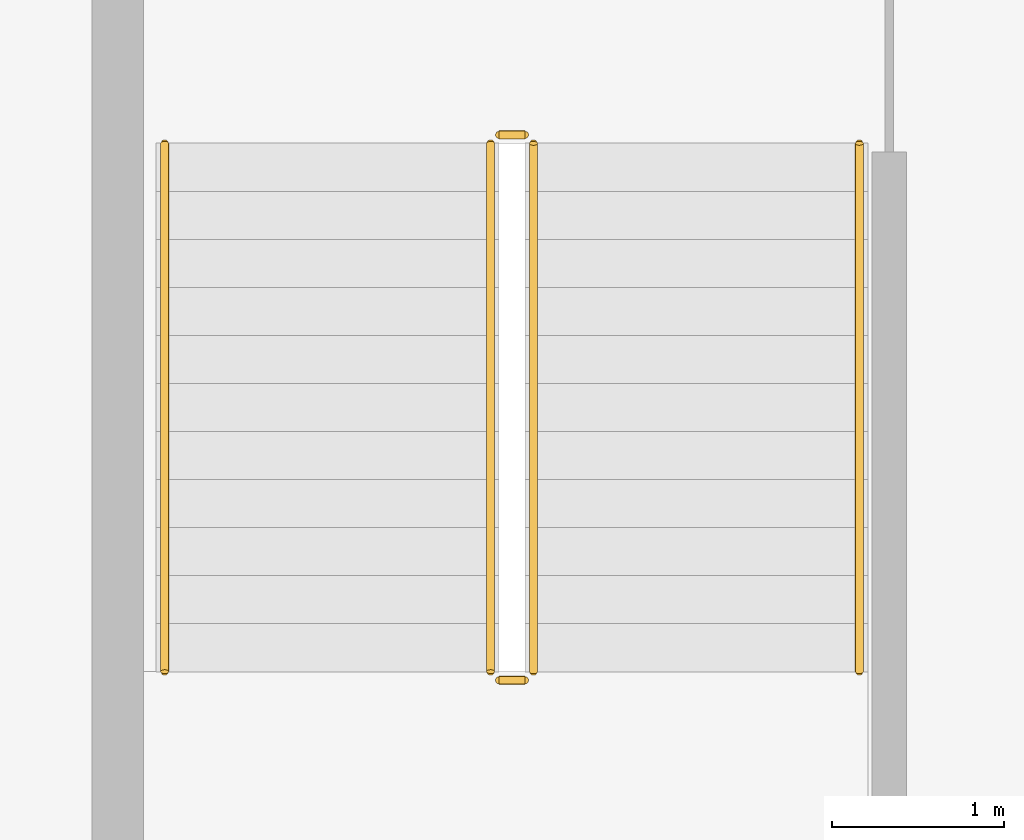
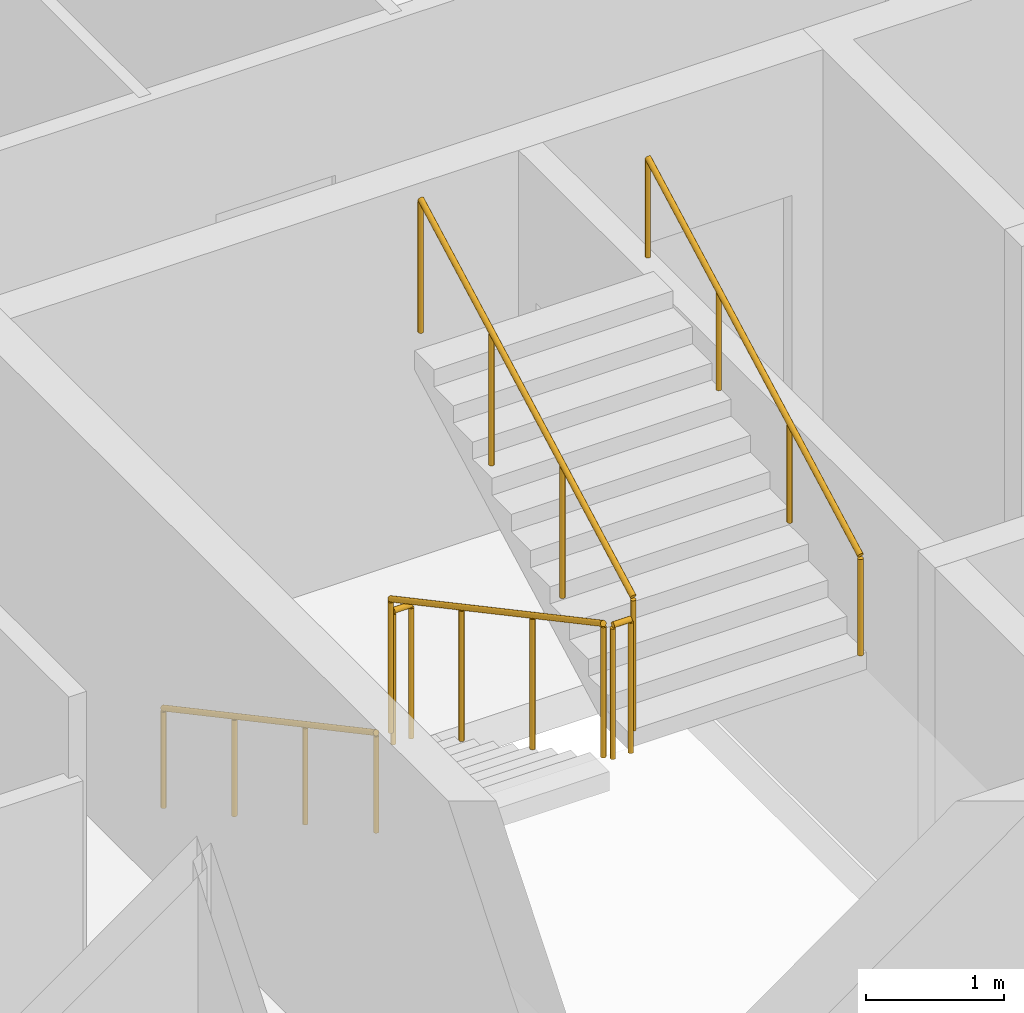
# One storey, part 12 of 14: 6 railings.
"""IFC4 building model written with IfcOpenShell, lengths in metres."""

from ifc_helpers import new_model, si_unit, direction, frame, origin, origin_2d, place, context, subcontext, project, spatial, circle, extrude, material, type_object, element, save


model = new_model("IFC4")

# Units and contexts
model_context = context("Model", 3, precision=1e-05, world=origin(), true_north=direction((0.0, 1.0)))
body_context = subcontext(model_context, "Body", "Model", "MODEL_VIEW")
ifc_project = project(units=[si_unit("LENGTHUNIT", "METRE"), si_unit("AREAUNIT", "SQUARE_METRE"), si_unit("VOLUMEUNIT", "CUBIC_METRE"), si_unit("PLANEANGLEUNIT", "RADIAN"), si_unit("MASSUNIT", "GRAM", prefix="KILO")], contexts=[model_context])

# Site, building, storey
site_placement = place(None, origin())
site = spatial("IfcSite", under=ifc_project, at=site_placement, CompositionType="ELEMENT")
building_placement = place(site_placement, origin())
building = spatial("IfcBuilding", under=site, at=building_placement, Name="Caravel Reach Hotel and Residences", CompositionType="ELEMENT")
storey_placement = place(building_placement, frame((0.0, 0.0, 88.800048828125)))
storey = spatial("IfcBuildingStorey", under=building, at=storey_placement, Name="L21", CompositionType="ELEMENT", Elevation=88.800048828125)

# Railings
ifc_material_1 = material(Name="Steel balustrade with glass infill", Category="steel")
railing_type_1 = type_object("IfcRailingType", Name="Guard 1200", PredefinedType="GUARDRAIL", material=ifc_material_1)
railing_1_placement = place(storey_placement, frame((20.175048828125, 29.35009765625, 0.14990234375)))
element("IfcRailing", 1, at=railing_1_placement, inside=storey, type_object=railing_type_1, Name="L21 ST-A stair guard 1", PredefinedType="GUARDRAIL", context=body_context, shape_type="SweptSolid", body=[
    extrude(circle(Radius=0.02392578125, at=origin_2d()), frame((0.0, 0.0, 1.17578125), z_axis=(0.0, -0.881467505477, 0.472244678941), x_axis=(1.0, 0.0, 0.0)), (0.0, 0.0, 1.0), 3.494140625),
    extrude(circle(Radius=0.02099609375, at=origin_2d()), origin(), (0.0, 0.0, 1.0), 1.15185546875),
    extrude(circle(Radius=0.02099609375, at=origin_2d()), frame((0.0, -1.026611328125, 0.550048828125)), (0.0, 0.0, 1.0), 1.15185546875),
    extrude(circle(Radius=0.02099609375, at=origin_2d()), frame((0.0, -2.053466796875, 1.10009765625)), (0.0, 0.0, 1.0), 1.15185546875),
    extrude(circle(Radius=0.02099609375, at=origin_2d()), frame((0.0, -3.080078125, 1.650146484375)), (0.0, 0.0, 1.0), 1.15185546875),
])
railing_2_placement = place(storey_placement, frame((20.22509765625, 26.219970703125, 1.800048828125)))
element("IfcRailing", 2, at=railing_2_placement, inside=storey, type_object=railing_type_1, Name="L21 ST-A stair guard 2", PredefinedType="GUARDRAIL", context=body_context, shape_type="SweptSolid", body=[
    extrude(circle(Radius=0.02392578125, at=origin_2d()), frame((0.0, 0.0, 1.17578125), z_axis=(1.0, 0.0, 0.0), x_axis=(0.0, 1.0, 0.0)), (0.0, 0.0, 1.0), 0.14990234375),
    extrude(circle(Radius=0.02099609375, at=origin_2d()), origin(), (0.0, 0.0, 1.0), 1.15185546875),
    extrude(circle(Radius=0.02099609375, at=origin_2d()), frame((0.14990234375, 0.0, 0.0)), (0.0, 0.0, 1.0), 1.15185546875),
])
railing_3_placement = place(storey_placement, frame((20.425048828125, 26.27001953125, 1.949951171875)))
element("IfcRailing", 3, at=railing_3_placement, inside=storey, type_object=railing_type_1, Name="L21 ST-A stair guard 3", PredefinedType="GUARDRAIL", context=body_context, shape_type="SweptSolid", body=[
    extrude(circle(Radius=0.02392578125, at=origin_2d()), frame((0.0, 0.0, 1.17578125), z_axis=(0.0, 0.881496589024, 0.472190389079), x_axis=(-1.0, 0.0, 0.0)), (0.0, 0.0, 1.0), 3.494140625),
    extrude(circle(Radius=0.02099609375, at=origin_2d()), origin(), (0.0, 0.0, 1.0), 1.15185546875),
    extrude(circle(Radius=0.02099609375, at=origin_2d()), frame((0.0, 1.026611328125, 0.550048828125)), (0.0, 0.0, 1.0), 1.15185546875),
    extrude(circle(Radius=0.02099609375, at=origin_2d()), frame((0.0, 2.053466796875, 1.099853515625)), (0.0, 0.0, 1.0), 1.15185546875),
    extrude(circle(Radius=0.02099609375, at=origin_2d()), frame((0.0, 3.080078125, 1.64990234375)), (0.0, 0.0, 1.0), 1.15185546875),
])
railing_4_placement = place(storey_placement, frame((20.22509765625, 29.39990234375, 0.0)))
element("IfcRailing", 4, at=railing_4_placement, inside=storey, type_object=railing_type_1, Name="L21 ST-A stair guard 4", PredefinedType="GUARDRAIL", context=body_context, shape_type="SweptSolid", body=[
    extrude(circle(Radius=0.02392578125, at=origin_2d()), frame((0.0, 0.0, 1.17578125), z_axis=(1.0, 0.0, 0.0), x_axis=(0.0, 1.0, 0.0)), (0.0, 0.0, 1.0), 0.14990234375),
    extrude(circle(Radius=0.02099609375, at=origin_2d()), origin(), (0.0, 0.0, 1.0), 1.15185546875),
    extrude(circle(Radius=0.02099609375, at=origin_2d()), frame((0.14990234375, 0.0, 0.0)), (0.0, 0.0, 1.0), 1.15185546875),
])
ifc_material_2 = material(Name="Stainless steel handrail", Category="steel")
railing_type_2 = type_object("IfcRailingType", Name="Handrail 900", PredefinedType="HANDRAIL", material=ifc_material_2)
railing_5_placement = place(storey_placement, frame((18.27490234375, 29.35009765625, 0.14990234375)))
element("IfcRailing", 5, at=railing_5_placement, inside=storey, type_object=railing_type_2, Name="L21 ST-A stair handrail 1", PredefinedType="HANDRAIL", context=body_context, shape_type="SweptSolid", body=[
    extrude(circle(Radius=0.02392578125, at=origin_2d()), frame((0.0, 0.0, 0.8759765625), z_axis=(0.0, -0.881467505477, 0.472244678941), x_axis=(1.0, 0.0, 0.0)), (0.0, 0.0, 1.0), 3.494140625),
    extrude(circle(Radius=0.02099609375, at=origin_2d()), origin(), (0.0, 0.0, 1.0), 0.851806640625),
    extrude(circle(Radius=0.02099609375, at=origin_2d()), frame((0.0, -1.026611328125, 0.550048828125)), (0.0, 0.0, 1.0), 0.851806640625),
    extrude(circle(Radius=0.02099609375, at=origin_2d()), frame((0.0, -2.053466796875, 1.10009765625)), (0.0, 0.0, 1.0), 0.851806640625),
    extrude(circle(Radius=0.02099609375, at=origin_2d()), frame((0.0, -3.080078125, 1.650146484375)), (0.0, 0.0, 1.0), 0.851806640625),
])
railing_6_placement = place(storey_placement, frame((22.324951171875, 26.27001953125, 1.949951171875)))
element("IfcRailing", 6, at=railing_6_placement, inside=storey, type_object=railing_type_2, Name="L21 ST-A stair handrail 2", PredefinedType="HANDRAIL", context=body_context, shape_type="SweptSolid", body=[
    extrude(circle(Radius=0.02392578125, at=origin_2d()), frame((0.0, 0.0, 0.8759765625), z_axis=(0.0, 0.881496589024, 0.472190389079), x_axis=(-1.0, 0.0, 0.0)), (0.0, 0.0, 1.0), 3.494140625),
    extrude(circle(Radius=0.02099609375, at=origin_2d()), origin(), (0.0, 0.0, 1.0), 0.851806640625),
    extrude(circle(Radius=0.02099609375, at=origin_2d()), frame((0.0, 1.026611328125, 0.550048828125)), (0.0, 0.0, 1.0), 0.851806640625),
    extrude(circle(Radius=0.02099609375, at=origin_2d()), frame((0.0, 2.053466796875, 1.099853515625)), (0.0, 0.0, 1.0), 0.851806640625),
    extrude(circle(Radius=0.02099609375, at=origin_2d()), frame((0.0, 3.080078125, 1.64990234375)), (0.0, 0.0, 1.0), 0.851806640625),
])

save(model, "model.ifc")
